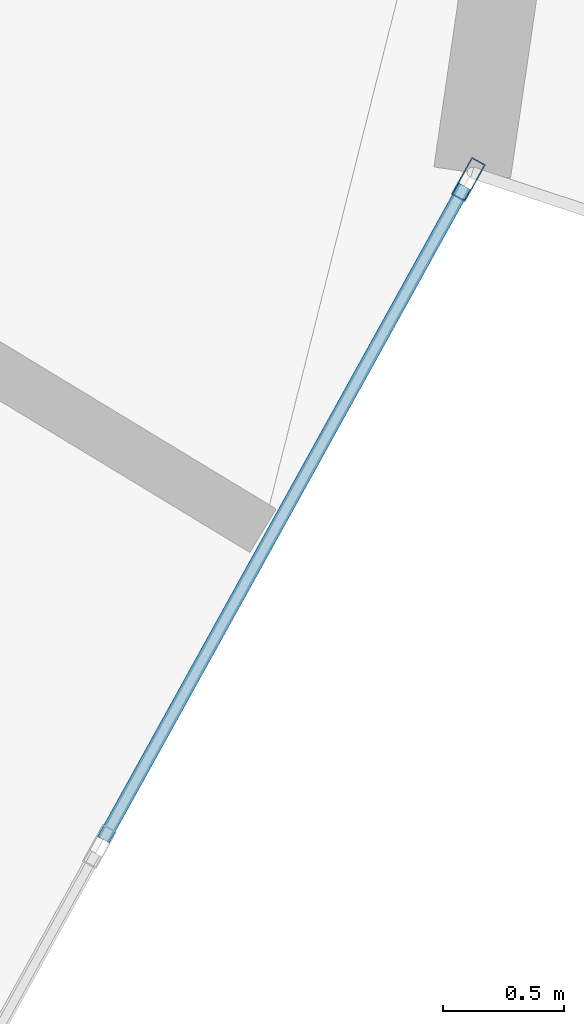
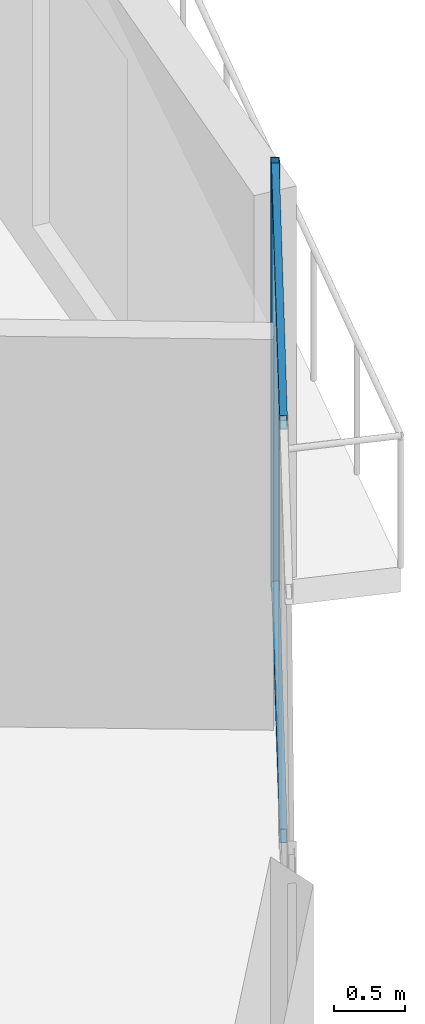
# One storey, part 7 of 21: 3 members, 1 element without a shape of its own.
"""IFC4 building model written with IfcOpenShell, lengths in metres."""

import ifcopenshell
import ifcopenshell.guid

model = None  # the IFC model being written
_history = None  # IfcOwnerHistory: only IFC2X3 demands one
_inside = {}  # id of a spatial element -> (the spatial element, [elements in it])
_under = {}  # id of a project, library or spatial element -> (it, [spatial elements below it])
_declared = {}  # id of a project -> (the project, [libraries it declares])
_typed = {}  # id of a type object -> (the type object, [elements of that type])
_made_of = {}  # id of a material, layer set ... -> (it, [elements and type objects made of it])


def new_model(schema):
    """Start an empty IFC model of exactly this schema.

    Asked for "IFC4X3", IfcOpenShell would pick the latest addendum, in which some entities
    have other attributes; the version numbers below select the first issue.
    IFC2X3 requires an IfcOwnerHistory on every rooted entity: one is made here for all.
    """
    global model, _history
    if schema == "IFC4X3":
        model = ifcopenshell.file(schema_version=(4, 3, 0, 0))
    else:
        model = ifcopenshell.file(schema=schema)
    _inside.clear()
    _under.clear()
    _declared.clear()
    _typed.clear()
    _made_of.clear()
    _history = None
    if model.schema == "IFC2X3":
        org = make("IfcOrganization", Name="unknown")
        user = make(
            "IfcPersonAndOrganization",
            ThePerson=make("IfcPerson", FamilyName="unknown"),
            TheOrganization=org,
        )
        app = make(
            "IfcApplication",
            ApplicationDeveloper=org,
            Version="unknown",
            ApplicationFullName="unknown",
            ApplicationIdentifier="unknown",
        )
        _history = make(
            "IfcOwnerHistory",
            OwningUser=user,
            OwningApplication=app,
            ChangeAction="ADDED",
            CreationDate=0,
        )
    return model


def make(cls, **values):
    """One entity of the class cls with the attributes given. An attribute that is None is left unset."""
    return model.create_entity(
        cls, **{name: value for name, value in values.items() if value is not None}
    )


def rooted(cls, **values):
    """An entity with a GlobalId (a new one), such as an element, a storey or a relation."""
    return make(cls, GlobalId=ifcopenshell.guid.new(), OwnerHistory=_history, **values)


def si_unit(unit_type, name, prefix=None):
    """IfcSIUnit, for example si_unit("LENGTHUNIT", "METRE", prefix="MILLI")."""
    return make("IfcSIUnit", UnitType=unit_type, Prefix=prefix, Name=name)


def assignment(units):
    """IfcUnitAssignment: the units of a project."""
    return None if units is None else make("IfcUnitAssignment", Units=units)


def point(xyz):
    """IfcCartesianPoint."""
    return None if xyz is None else make("IfcCartesianPoint", Coordinates=xyz)


def direction(xyz):
    """IfcDirection."""
    return None if xyz is None else make("IfcDirection", DirectionRatios=xyz)


def frame(location, z_axis=None, x_axis=None):
    """IfcAxis2Placement3D, a coordinate frame: its origin and axes. An axis left out is left unset."""
    return make(
        "IfcAxis2Placement3D",
        Location=point(location),
        Axis=direction(z_axis),
        RefDirection=direction(x_axis),
    )


def frame_2d(location, x_axis=None):
    """IfcAxis2Placement2D, a coordinate frame in the plane: its origin and x axis."""
    return make(
        "IfcAxis2Placement2D", Location=point(location), RefDirection=direction(x_axis)
    )


def origin():
    """The frame at (0, 0, 0) with its axes left unset."""
    return frame((0.0, 0.0, 0.0))


def origin_2d():
    """The frame at (0, 0) in the plane with its x axis left unset."""
    return frame_2d((0.0, 0.0))


def place(relative_to, where):
    """IfcLocalPlacement: puts the frame where relative to a parent placement (None: the world)."""
    return make(
        "IfcLocalPlacement", PlacementRelTo=relative_to, RelativePlacement=where
    )


def context(
    kind, dimensions, precision=None, world=None, true_north=None, identifier=None
):
    """IfcGeometricRepresentationContext, for example the 3D "Model" context."""
    return make(
        "IfcGeometricRepresentationContext",
        ContextIdentifier=identifier,
        ContextType=kind,
        CoordinateSpaceDimension=dimensions,
        Precision=precision,
        WorldCoordinateSystem=world,
        TrueNorth=true_north,
    )


def subcontext(parent, identifier, kind, view, scale=None):
    """IfcGeometricRepresentationSubContext, for example "Body" below "Model"."""
    return make(
        "IfcGeometricRepresentationSubContext",
        ContextIdentifier=identifier,
        ContextType=kind,
        ParentContext=parent,
        TargetScale=scale,
        TargetView=view,
    )


def project(units=None, contexts=None):
    """IfcProject with its units and contexts."""
    return rooted(
        "IfcProject",
        Name="project",
        RepresentationContexts=contexts,
        UnitsInContext=assignment(units),
    )


def spatial(cls, under=None, at=None, **own):
    """A site, building, storey or space (cls), placed at a placement, below another one or the project."""
    s = rooted(cls, ObjectPlacement=at, **own)
    if under is not None:
        _under.setdefault(under.id(), (under, []))[1].append(s)
    return s


def profile(cls, at=None, kind="AREA", **sizes):
    """A parametric profile (cls). Its sizes go by their IFC names, for example OverallWidth=200.0."""
    return make(cls, ProfileType=kind, Position=at, **sizes)


def hollow_rectangle(**sizes):
    """IfcRectangleHollowProfileDef."""
    return profile("IfcRectangleHollowProfileDef", **sizes)


def extrude(swept, where, along, depth):
    """IfcExtrudedAreaSolid: the profile swept, set in the frame where, extruded along a direction by depth."""
    return make(
        "IfcExtrudedAreaSolid",
        SweptArea=swept,
        Position=where,
        ExtrudedDirection=direction(along),
        Depth=depth,
    )


def shape(context_of_items, identifier, shape_type, items):
    """IfcShapeRepresentation: the items that make up one representation, for example the "Body"."""
    return make(
        "IfcShapeRepresentation",
        ContextOfItems=context_of_items,
        RepresentationIdentifier=identifier,
        RepresentationType=shape_type,
        Items=items,
    )


def source(mapping_origin, context_of_items, identifier, shape_type, items):
    """IfcRepresentationMap: a shape defined once, which mapped items show again and again."""
    return make(
        "IfcRepresentationMap",
        MappingOrigin=mapping_origin,
        MappedRepresentation=shape(context_of_items, identifier, shape_type, items),
    )


def transform(
    local_origin,
    x_axis=None,
    y_axis=None,
    z_axis=None,
    scale=None,
    scale2=None,
    scale3=None,
    uniform=True,
):
    """IfcCartesianTransformationOperator3D, or its non-uniform kind. x_axis, y_axis, z_axis: its Axis1, 2, 3."""
    if uniform:
        return make(
            "IfcCartesianTransformationOperator3D",
            Axis1=direction(x_axis),
            Axis2=direction(y_axis),
            LocalOrigin=point(local_origin),
            Scale=scale,
            Axis3=direction(z_axis),
        )
    return make(
        "IfcCartesianTransformationOperator3DnonUniform",
        Axis1=direction(x_axis),
        Axis2=direction(y_axis),
        LocalOrigin=point(local_origin),
        Scale=scale,
        Axis3=direction(z_axis),
        Scale2=scale2,
        Scale3=scale3,
    )


def mapped(mapping_source, mapping_target):
    """IfcMappedItem: shows the shape of a source again, moved by a transform."""
    return make(
        "IfcMappedItem", MappingSource=mapping_source, MappingTarget=mapping_target
    )


def material(Name=None, Category=None):
    """IfcMaterial."""
    return make("IfcMaterial", Name=Name, Category=Category)


def layer(
    of_material, thickness, ventilated=None, Name=None, Category=None, Priority=None
):
    """IfcMaterialLayer: one layer of a wall or slab, of a material (None: an air gap)."""
    return make(
        "IfcMaterialLayer",
        Material=of_material,
        LayerThickness=thickness,
        IsVentilated=ventilated,
        Name=Name,
        Category=Category,
        Priority=Priority,
    )


def layer_set(layers, Name=None):
    """IfcMaterialLayerSet."""
    return make("IfcMaterialLayerSet", MaterialLayers=layers, LayerSetName=Name)


def material_profile(
    of_material, cross_section, Name=None, Category=None, Priority=None
):
    """IfcMaterialProfile: a cross section and its material."""
    return make(
        "IfcMaterialProfile",
        Name=Name,
        Material=of_material,
        Profile=cross_section,
        Priority=Priority,
        Category=Category,
    )


def profile_set(profiles, Name=None, composite=None):
    """IfcMaterialProfileSet."""
    return make(
        "IfcMaterialProfileSet",
        Name=Name,
        MaterialProfiles=profiles,
        CompositeProfile=composite,
    )


def made_of(thing, what):
    """Note that an element or type object is made of a material, layer set ...; save() writes the relation."""
    if what is not None:
        _made_of.setdefault(what.id(), (what, []))[1].append(thing)
    return thing


def type_object(cls, material=None, **own):
    """A type object (cls), such as IfcWallType, which elements share."""
    return made_of(rooted(cls, **own), material)


def element(
    cls,
    number,
    at=None,
    inside=None,
    cuts=None,
    type_object=None,
    material=None,
    context=None,
    identifier="Body",
    shape_type=None,
    held_by="IfcProductDefinitionShape",
    body=None,
    shapes=None,
    **own,
):
    """One element of the class cls, such as IfcWall. Its Tag is "e" and its number.

    at: its placement. inside: the storey or other place that contains it. cuts: it is an
    opening in that element (IfcRelVoidsElement). A single representation is given by context,
    identifier, shape_type and body (its items); several are given by shapes. held_by: the class
    of the entity that holds the representations. save() writes the other relations.
    """
    e = rooted(cls, Tag="e%d" % number, ObjectPlacement=at, **own)
    if body is not None:
        shapes = [shape(context, identifier, shape_type, body)]
    if shapes is not None:
        e.Representation = make(held_by, Representations=shapes)
    if inside is not None:
        _inside.setdefault(inside.id(), (inside, []))[1].append(e)
    if cuts is not None:
        rooted(
            "IfcRelVoidsElement", RelatingBuildingElement=cuts, RelatedOpeningElement=e
        )
    if type_object is not None:
        _typed.setdefault(type_object.id(), (type_object, []))[1].append(e)
    return made_of(e, material)


def aggregate(whole, parts):
    """IfcRelAggregates: a whole, such as a stair, and the parts it consists of."""
    return rooted("IfcRelAggregates", RelatingObject=whole, RelatedObjects=parts)


def save(model, path):
    """Write the relations noted so far, then the file.

    IfcRelAggregates (storeys below a building ...), IfcRelContainedInSpatialStructure (elements
    in a storey), IfcRelDefinesByType, IfcRelAssociatesMaterial and IfcRelDeclares: one each for
    every whole, place, type object, material and project.
    """
    for whole, parts in _under.values():
        aggregate(whole, parts)
    for where, things in _inside.values():
        rooted(
            "IfcRelContainedInSpatialStructure",
            RelatedElements=things,
            RelatingStructure=where,
        )
    for kind, things in _typed.values():
        rooted("IfcRelDefinesByType", RelatedObjects=things, RelatingType=kind)
    for what, things in _made_of.values():
        rooted("IfcRelAssociatesMaterial", RelatedObjects=things, RelatingMaterial=what)
    for by, libraries in _declared.values():
        rooted("IfcRelDeclares", RelatingContext=by, RelatedDefinitions=libraries)
    model.write(path)


model = new_model("IFC4")

# Units and contexts
model_context = context("Model", 3, precision=1e-05, world=origin(), true_north=direction((0.0, 1.0)))
body_context = subcontext(model_context, "Body", "Model", "MODEL_VIEW")
ifc_project = project(units=[si_unit("LENGTHUNIT", "METRE"), si_unit("AREAUNIT", "SQUARE_METRE"), si_unit("VOLUMEUNIT", "CUBIC_METRE"), si_unit("PLANEANGLEUNIT", "RADIAN"), si_unit("MASSUNIT", "GRAM", prefix="KILO")], contexts=[model_context])

# Site, building, storey
site_placement = place(None, origin())
site = spatial("IfcSite", under=ifc_project, at=site_placement, CompositionType="ELEMENT")
building_placement = place(site_placement, origin())
building = spatial("IfcBuilding", under=site, at=building_placement, Name="Solvirekh Grand Hotel", CompositionType="ELEMENT")
storey_placement = place(building_placement, frame((0.0, 0.0, 131.39990234375)))
storey = spatial("IfcBuildingStorey", under=building, at=storey_placement, Name="L33", CompositionType="ELEMENT", Elevation=131.39990234375)

# Curtain wall, members
ifc_material = material(Name="Anodized Bronze Aluminium 6063-T6", Category="aluminium")
ifc_layer = layer(ifc_material, 0.175048828125)
ifc_layer_set = layer_set([ifc_layer], Name="Anodized Bronze Aluminium 6063-T6")
curtain_wall_type = type_object("IfcCurtainWallType", Name="CW_Sys3_MidZoneFlushBronzeCW", PredefinedType="NOTDEFINED", material=ifc_layer_set)
curtain_wall_placement = place(storey_placement, origin())
curtain_wall = element("IfcCurtainWall", 1, at=curtain_wall_placement, inside=storey, type_object=curtain_wall_type, Name="L33 unitised bronze-glass curtain wall CW-L33-C01", PredefinedType="NOTDEFINED")
ifc_material_profile_1 = material_profile(ifc_material, hollow_rectangle(XDim=0.054931640625, YDim=0.1201171875, WallThickness=0.00390625, at=origin_2d()), Name="ALU RHS 120X55X4")
ifc_profile_set_1 = profile_set([ifc_material_profile_1], Name="Anodized Bronze Aluminium 6063-T6")
member_type_1 = type_object("IfcMemberType", Name="CWTransom_Sys3", PredefinedType="USERDEFINED", material=ifc_profile_set_1)
shared_shape_1 = source(origin(), body_context, "Body", "SweptSolid", [
    extrude(hollow_rectangle(XDim=0.054931640625, YDim=0.1201171875, WallThickness=0.00390625, at=origin_2d()), origin(), (0.0, 0.0, 1.0), 3.087158203125),
])
member_1_placement = place(storey_placement, frame((19.06982421875, -12.66845703125, 0.027587890625), z_axis=(0.483842344159, 0.875155178239, 0.0), x_axis=(-0.875155178239, 0.483842344159, 0.0)))
member_1 = element("IfcMember", 2, at=member_1_placement, type_object=member_type_1, Name="U03 transom 2.1", ObjectType="TRANSOM", PredefinedType="USERDEFINED", context=body_context, shape_type="MappedRepresentation", body=[
    mapped(shared_shape_1, transform((0.0, 0.0, 0.0), x_axis=(1.0, 0.0, 0.0), y_axis=(0.0, 1.0, 0.0), z_axis=(0.0, 0.0, 1.0), scale=1.0)),
])
member_2_placement = place(storey_placement, frame((19.06982421875, -12.66845703125, 3.572509765625), z_axis=(0.483842344159, 0.875155178239, 0.0), x_axis=(-0.875155178239, 0.483842344159, 0.0)))
member_2 = element("IfcMember", 3, at=member_2_placement, type_object=member_type_1, Name="U03 transom 2.2", ObjectType="TRANSOM", PredefinedType="USERDEFINED", context=body_context, shape_type="MappedRepresentation", body=[
    mapped(shared_shape_1, transform((0.0, 0.0, 0.0), x_axis=(1.0, 0.0, 0.0), y_axis=(0.0, 1.0, 0.0), z_axis=(0.0, 0.0, 1.0), scale=1.0)),
])
ifc_material_profile_2 = material_profile(ifc_material, hollow_rectangle(XDim=0.06494140625, YDim=0.175048828125, WallThickness=0.0048828125, at=origin_2d()), Name="ALU RHS 175X65X5")
ifc_profile_set_2 = profile_set([ifc_material_profile_2], Name="Anodized Bronze Aluminium 6063-T6")
member_type_2 = type_object("IfcMemberType", Name="CWMullion_Sys3", PredefinedType="MULLION", material=ifc_profile_set_2)
shared_shape_2 = source(origin(), body_context, "Body", "SweptSolid", [
    extrude(hollow_rectangle(XDim=0.06494140625, YDim=0.175048828125, WallThickness=0.0048828125, at=origin_2d()), origin(), (0.0, 0.0, 1.0), 3.60009765625),
])
member_3_placement = place(storey_placement, frame((20.579345703125, -9.9384765625, 0.0), z_axis=(0.0, 0.0, 1.0), x_axis=(-0.875133069134, 0.48388233209, 0.0)))
member_3 = element("IfcMember", 4, at=member_3_placement, type_object=member_type_2, Name="U03 mullion 3", PredefinedType="MULLION", context=body_context, shape_type="MappedRepresentation", body=[
    mapped(shared_shape_2, transform((0.0, 0.0, 0.0), x_axis=(1.0, 0.0, 0.0), y_axis=(0.0, 1.0, 0.0), z_axis=(0.0, 0.0, 1.0), scale=1.0)),
])
aggregate(curtain_wall, [member_3, member_1, member_2])

save(model, "model.ifc")
